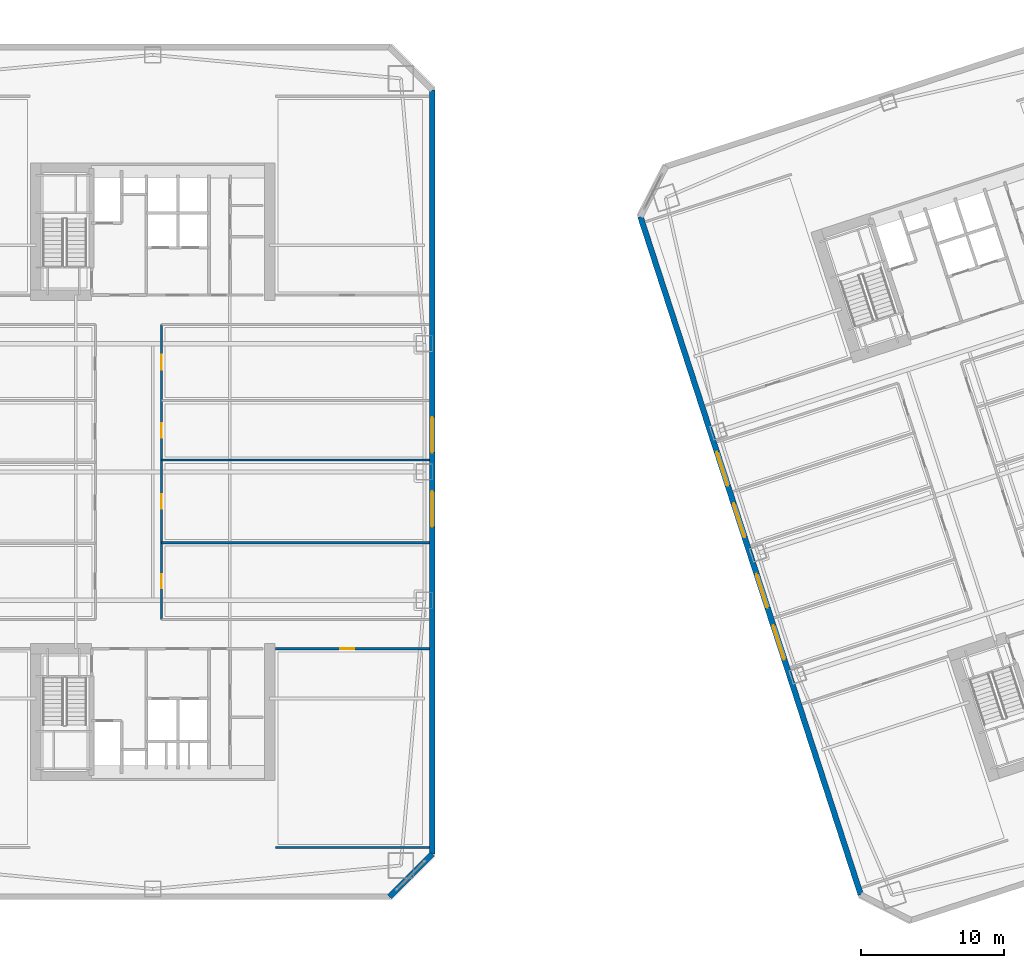
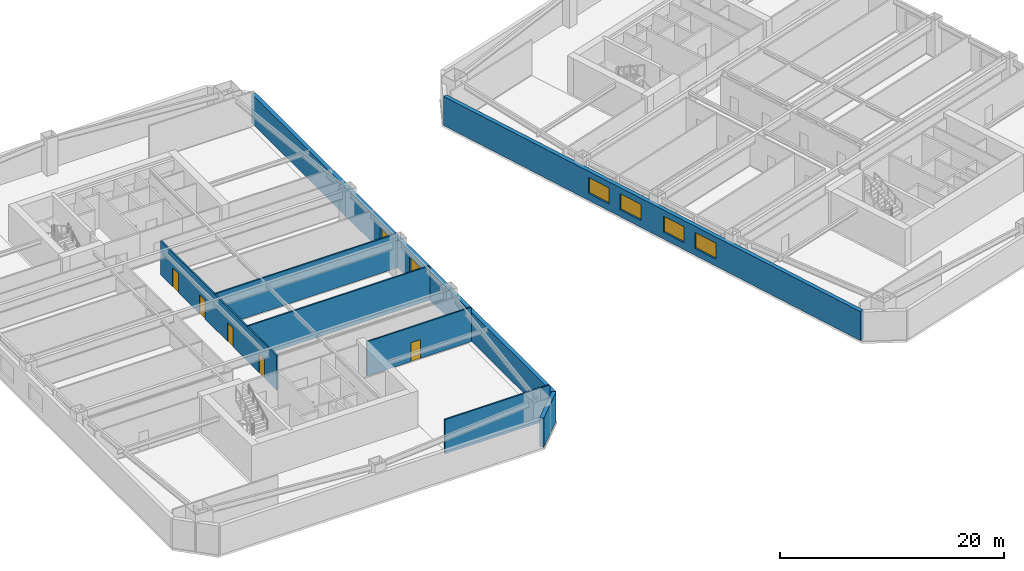
# One storey, part 11 of 24: 8 walls, 6 windows, 5 doors, 11 openings.
"""IFC4 building model written with IfcOpenShell, lengths in metres."""

from ifc_helpers import new_model, si_unit, direction, frame, frame_2d, origin, place, context, subcontext, project, spatial, rectangle, extrude, material, layer, layer_set, type_object, element, fill, save


model = new_model("IFC4")

# Units and contexts
model_context = context("Model", 3, precision=1e-05, world=origin(), true_north=direction((0.0, 1.0)))
body_context = subcontext(model_context, "Body", "Model", "MODEL_VIEW")
ifc_project = project(units=[si_unit("LENGTHUNIT", "METRE"), si_unit("AREAUNIT", "SQUARE_METRE"), si_unit("VOLUMEUNIT", "CUBIC_METRE"), si_unit("PLANEANGLEUNIT", "RADIAN"), si_unit("MASSUNIT", "GRAM", prefix="KILO")], contexts=[model_context])

# Site, building, storey
site_placement = place(None, origin())
site = spatial("IfcSite", under=ifc_project, at=site_placement, CompositionType="ELEMENT")
building_placement = place(site_placement, origin())
building = spatial("IfcBuilding", under=site, at=building_placement, Name="Qiaolan Cultural Towers", CompositionType="ELEMENT")
storey_placement = place(building_placement, frame((0.0, 0.0, 30.0)))
storey = spatial("IfcBuildingStorey", under=building, at=storey_placement, Name="L06", CompositionType="ELEMENT", Elevation=30.0)

# Wall, openings, windows
ifc_material_1 = material(Name="Precast Concrete C50 Honed Stone Pier", Category="masonry")
ifc_layer_1 = layer(ifc_material_1, 0.39990234375)
ifc_layer_set_1 = layer_set([ifc_layer_1], Name="Precast Concrete C50 Honed Stone Pier")
wall_type_1 = type_object("IfcWallType", Name="WL-EXT-PIER-400", PredefinedType="SOLIDWALL", material=ifc_layer_set_1)
wall_1_placement = place(storey_placement, frame((49.60009765625, 60.800048828125, 0.0), z_axis=(0.0, 0.0, 1.0), x_axis=(0.0, -1.0, 0.0)))
wall_1 = element("IfcWall", 1, at=wall_1_placement, inside=storey, type_object=wall_type_1, Name="L06 West Tower Precast Pier Facade Wall F5", PredefinedType="SOLIDWALL", context=body_context, shape_type="SweptSolid", body=[
    extrude(rectangle(XDim=53.60009765625, YDim=0.39990234375, at=frame_2d((26.800048828125, 0.0))), origin(), (0.0, 0.0, 1.0), 3.159912109375),
])
opening_1_placement = place(wall_1_placement, frame((28.14990234375, 0.0, 0.75)))
opening_1 = element("IfcOpeningElement", 2, at=opening_1_placement, cuts=wall_1, Name="Opening W-01", PredefinedType="OPENING", context=body_context, shape_type="SweptSolid", body=[
    extrude(rectangle(XDim=2.5, YDim=1.75, at=frame_2d((1.25, 0.875))), frame((0.0, 0.2099609375, 0.0), z_axis=(0.0, -1.0, 0.0), x_axis=(1.0, 0.0, 0.0)), (0.0, 0.0, 1.0), 0.419921875),
])
opening_2_placement = place(wall_1_placement, frame((22.949951171875, 0.0, 0.75)))
opening_2 = element("IfcOpeningElement", 3, at=opening_2_placement, cuts=wall_1, Name="Opening W-01", PredefinedType="OPENING", context=body_context, shape_type="SweptSolid", body=[
    extrude(rectangle(XDim=2.5, YDim=1.75, at=frame_2d((1.25, 0.875))), frame((0.0, 0.2099609375, 0.0), z_axis=(0.0, -1.0, 0.0), x_axis=(1.0, 0.0, 0.0)), (0.0, 0.0, 1.0), 0.419921875),
])
ifc_material_2 = material(Name="Thermally Broken Aluminium Triple Low-E Glazing", Category="aluminium")
window_type = type_object("IfcWindowType", Name="WN-CHIC-2500", PartitioningType="SINGLE_PANEL", PredefinedType="WINDOW", material=ifc_material_2)
window_1_placement = place(opening_1_placement, origin())
window_1 = element("IfcWindow", 4, at=window_1_placement, inside=storey, type_object=window_type, Name="L06 T1 E Chicago Bay Window 1", OverallHeight=1.75, OverallWidth=2.5, PartitioningType="TRIPLE_PANEL_VERTICAL", PredefinedType="WINDOW", context=body_context, shape_type="SweptSolid", body=[
    extrude(rectangle(XDim=2.5, YDim=1.75, at=frame_2d((1.25, 0.875))), frame((0.0, 0.030029296875, 0.0), z_axis=(0.0, -1.0, 0.0), x_axis=(1.0, 0.0, 0.0)), (0.0, 0.0, 1.0), 0.06005859375),
])
fill(opening_1, window_1)
window_2_placement = place(opening_2_placement, origin())
window_2 = element("IfcWindow", 5, at=window_2_placement, inside=storey, type_object=window_type, Name="L06 T1 E Chicago Bay Window 2", OverallHeight=1.75, OverallWidth=2.5, PartitioningType="TRIPLE_PANEL_VERTICAL", PredefinedType="WINDOW", context=body_context, shape_type="SweptSolid", body=[
    extrude(rectangle(XDim=2.5, YDim=1.75, at=frame_2d((1.25, 0.875))), frame((0.0, 0.030029296875, 0.0), z_axis=(0.0, -1.0, 0.0), x_axis=(1.0, 0.0, 0.0)), (0.0, 0.0, 1.0), 0.06005859375),
])
fill(opening_2, window_2)

# Wall
wall_2_placement = place(storey_placement, frame((49.60009765625, 7.199951171875, 0.0), z_axis=(0.0, 0.0, 1.0), x_axis=(-0.707106781187, -0.707106781187, 0.0)))
element("IfcWall", 6, at=wall_2_placement, inside=storey, type_object=wall_type_1, Name="L06 West Tower Precast Pier Facade Wall F6", PredefinedType="SOLIDWALL", context=body_context, shape_type="SweptSolid", body=[
    extrude(rectangle(XDim=4.24267578125, YDim=0.39990234375, at=frame_2d((2.121337890625, 0.0))), origin(), (0.0, 0.0, 1.0), 3.159912109375),
])

# Wall, openings, windows
wall_3_placement = place(storey_placement, frame((79.6552734375, 4.352294921875, 0.0), z_axis=(0.0, 0.0, 1.0), x_axis=(-0.309014526607, 0.951057318118, 0.0)))
wall_3 = element("IfcWall", 7, at=wall_3_placement, inside=storey, type_object=wall_type_1, Name="L06 East Tower Precast Pier Facade Wall F1", PredefinedType="SOLIDWALL", context=body_context, shape_type="SweptSolid", body=[
    extrude(rectangle(XDim=49.999755859375, YDim=0.39990234375, at=frame_2d((25.0, 0.0))), origin(), (0.0, 0.0, 1.0), 3.159912109375),
])
opening_3_placement = place(wall_3_placement, frame((17.35009765625, 0.0, 0.75)))
opening_3 = element("IfcOpeningElement", 8, at=opening_3_placement, cuts=wall_3, Name="Opening W-01", PredefinedType="OPENING", context=body_context, shape_type="SweptSolid", body=[
    extrude(rectangle(XDim=2.5, YDim=1.75, at=frame_2d((1.25, 0.875))), frame((0.0, 0.2099609375, 0.0), z_axis=(0.0, -1.0, 0.0), x_axis=(1.0, 0.0, 0.0)), (0.0, 0.0, 1.0), 0.419921875),
])
opening_4_placement = place(wall_3_placement, frame((21.14990234375, 0.0, 0.75)))
opening_4 = element("IfcOpeningElement", 9, at=opening_4_placement, cuts=wall_3, Name="Opening W-01", PredefinedType="OPENING", context=body_context, shape_type="SweptSolid", body=[
    extrude(rectangle(XDim=2.5, YDim=1.75, at=frame_2d((1.25, 0.875))), frame((0.0, 0.2099609375, 0.0), z_axis=(0.0, -1.0, 0.0), x_axis=(1.0, 0.0, 0.0)), (0.0, 0.0, 1.0), 0.419921875),
])
opening_5_placement = place(wall_3_placement, frame((26.35009765625, 0.0, 0.75)))
opening_5 = element("IfcOpeningElement", 10, at=opening_5_placement, cuts=wall_3, Name="Opening W-01", PredefinedType="OPENING", context=body_context, shape_type="SweptSolid", body=[
    extrude(rectangle(XDim=2.5, YDim=1.75, at=frame_2d((1.25, 0.875))), frame((0.0, 0.2099609375, 0.0), z_axis=(0.0, -1.0, 0.0), x_axis=(1.0, 0.0, 0.0)), (0.0, 0.0, 1.0), 0.419921875),
])
opening_6_placement = place(wall_3_placement, frame((30.14990234375, 0.0, 0.75)))
opening_6 = element("IfcOpeningElement", 11, at=opening_6_placement, cuts=wall_3, Name="Opening W-01", PredefinedType="OPENING", context=body_context, shape_type="SweptSolid", body=[
    extrude(rectangle(XDim=2.5, YDim=1.75, at=frame_2d((1.25, 0.875))), frame((0.0, 0.2099609375, 0.0), z_axis=(0.0, -1.0, 0.0), x_axis=(1.0, 0.0, 0.0)), (0.0, 0.0, 1.0), 0.419921875),
])
window_3_placement = place(opening_3_placement, origin())
window_3 = element("IfcWindow", 12, at=window_3_placement, inside=storey, type_object=window_type, Name="L06 T2 W Chicago Bay Window 1", OverallHeight=1.75, OverallWidth=2.5, PartitioningType="TRIPLE_PANEL_VERTICAL", PredefinedType="WINDOW", context=body_context, shape_type="SweptSolid", body=[
    extrude(rectangle(XDim=2.5, YDim=1.75, at=frame_2d((1.25, 0.875))), frame((0.0, 0.030029296875, 0.0), z_axis=(0.0, -1.0, 0.0), x_axis=(1.0, 0.0, 0.0)), (0.0, 0.0, 1.0), 0.06005859375),
])
fill(opening_3, window_3)
window_4_placement = place(opening_4_placement, origin())
window_4 = element("IfcWindow", 13, at=window_4_placement, inside=storey, type_object=window_type, Name="L06 T2 W Chicago Bay Window 2", OverallHeight=1.75, OverallWidth=2.5, PartitioningType="TRIPLE_PANEL_VERTICAL", PredefinedType="WINDOW", context=body_context, shape_type="SweptSolid", body=[
    extrude(rectangle(XDim=2.5, YDim=1.75, at=frame_2d((1.25, 0.875))), frame((0.0, 0.030029296875, 0.0), z_axis=(0.0, -1.0, 0.0), x_axis=(1.0, 0.0, 0.0)), (0.0, 0.0, 1.0), 0.06005859375),
])
fill(opening_4, window_4)
window_5_placement = place(opening_5_placement, origin())
window_5 = element("IfcWindow", 14, at=window_5_placement, inside=storey, type_object=window_type, Name="L06 T2 W Chicago Bay Window 3", OverallHeight=1.75, OverallWidth=2.5, PartitioningType="TRIPLE_PANEL_VERTICAL", PredefinedType="WINDOW", context=body_context, shape_type="SweptSolid", body=[
    extrude(rectangle(XDim=2.5, YDim=1.75, at=frame_2d((1.25, 0.875))), frame((0.0, 0.030029296875, 0.0), z_axis=(0.0, -1.0, 0.0), x_axis=(1.0, 0.0, 0.0)), (0.0, 0.0, 1.0), 0.06005859375),
])
fill(opening_5, window_5)
window_6_placement = place(opening_6_placement, origin())
window_6 = element("IfcWindow", 15, at=window_6_placement, inside=storey, type_object=window_type, Name="L06 T2 W Chicago Bay Window 4", OverallHeight=1.75, OverallWidth=2.5, PartitioningType="TRIPLE_PANEL_VERTICAL", PredefinedType="WINDOW", context=body_context, shape_type="SweptSolid", body=[
    extrude(rectangle(XDim=2.5, YDim=1.75, at=frame_2d((1.25, 0.875))), frame((0.0, 0.030029296875, 0.0), z_axis=(0.0, -1.0, 0.0), x_axis=(1.0, 0.0, 0.0)), (0.0, 0.0, 1.0), 0.06005859375),
])
fill(opening_6, window_6)

# Wall
ifc_material_3 = material(Name="Autoclaved Aerated Concrete Block B06", Category="concrete")
ifc_layer_2 = layer(ifc_material_3, 0.14990234375)
ifc_layer_set_2 = layer_set([ifc_layer_2], Name="Autoclaved Aerated Concrete Block B06")
wall_type_2 = type_object("IfcWallType", Name="WL-PART-150", PredefinedType="PARTITIONING", material=ifc_layer_set_2)
wall_4_placement = place(storey_placement, frame((38.60009765625, 7.64990234375, 0.0), z_axis=(0.0, 0.0, 1.0), x_axis=(1.0, 0.0, 0.0)))
element("IfcWall", 16, at=wall_4_placement, inside=storey, type_object=wall_type_2, Name="L06 T1 Flank Wall FLK-SE", PredefinedType="PARTITIONING", context=body_context, shape_type="SweptSolid", body=[
    extrude(rectangle(XDim=10.7998046875, YDim=0.14990234375, at=frame_2d((5.39990234375, 0.0))), origin(), (0.0, 0.0, 1.0), 3.72509765625),
])

# Wall, opening, door
wall_5_placement = place(storey_placement, frame((38.60009765625, 21.60009765625, 0.0), z_axis=(0.0, 0.0, 1.0), x_axis=(1.0, 0.0, 0.0)))
wall_5 = element("IfcWall", 17, at=wall_5_placement, inside=storey, type_object=wall_type_2, Name="L06 T1 Flank Front FLK-SE", PredefinedType="PARTITIONING", context=body_context, shape_type="SweptSolid", body=[
    extrude(rectangle(XDim=10.7998046875, YDim=0.14990234375, at=frame_2d((5.39990234375, 0.0))), origin(), (0.0, 0.0, 1.0), 3.72509765625),
])
opening_7_placement = place(wall_5_placement, frame((4.535888671875, 0.0, 0.0)))
opening_7 = element("IfcOpeningElement", 18, at=opening_7_placement, cuts=wall_5, Name="Opening ID-04", PredefinedType="OPENING", context=body_context, shape_type="SweptSolid", body=[
    extrude(rectangle(XDim=1.0, YDim=2.050048828125, at=frame_2d((0.5, 1.02490234375))), frame((0.0, 0.0849609375, 0.0), z_axis=(0.0, -1.0, 0.0), x_axis=(1.0, 0.0, 0.0)), (0.0, 0.0, 1.0), 0.169921875),
])
ifc_material_4 = material(Name="Oak Veneer Acoustic Office Door", Category="timber")
door_type_1 = type_object("IfcDoorType", Name="DR-INT-1000", OperationType="NOTDEFINED", PredefinedType="DOOR", material=ifc_material_4)
door_1_placement = place(opening_7_placement, origin())
door_1 = element("IfcDoor", 19, at=door_1_placement, inside=storey, type_object=door_type_1, Name="L06 T1 Corner Studio Door", OperationType="SINGLE_SWING_LEFT", OverallHeight=2.050048828125, OverallWidth=1.0, PredefinedType="DOOR", context=body_context, shape_type="SweptSolid", body=[
    extrude(rectangle(XDim=1.0, YDim=2.050048828125, at=frame_2d((0.5, 1.02490234375))), frame((0.0, 0.02490234375, 0.0), z_axis=(0.0, -1.0, 0.0), x_axis=(1.0, 0.0, 0.0)), (0.0, 0.0, 1.0), 0.050048828125),
])
fill(opening_7, door_1)

# Wall, openings, doors
wall_6_placement = place(storey_placement, frame((30.625, 23.64990234375, 0.0), z_axis=(0.0, 0.0, 1.0), x_axis=(0.0, 1.0, 0.0)))
wall_6 = element("IfcWall", 20, at=wall_6_placement, inside=storey, type_object=wall_type_2, Name="L06 T1 East Spine Wall", PredefinedType="PARTITIONING", context=body_context, shape_type="SweptSolid", body=[
    extrude(rectangle(XDim=20.7001953125, YDim=0.14990234375, at=frame_2d((10.35009765625, 0.0))), origin(), (0.0, 0.0, 1.0), 3.72509765625),
])
opening_8_placement = place(wall_6_placement, frame((2.19091796875, 0.0, 0.0)))
opening_8 = element("IfcOpeningElement", 21, at=opening_8_placement, cuts=wall_6, Name="Opening ID-04", PredefinedType="OPENING", context=body_context, shape_type="SweptSolid", body=[
    extrude(rectangle(XDim=1.0, YDim=2.050048828125, at=frame_2d((0.5, 1.02490234375))), frame((0.0, 0.0849609375, 0.0), z_axis=(0.0, -1.0, 0.0), x_axis=(1.0, 0.0, 0.0)), (0.0, 0.0, 1.0), 0.169921875),
])
opening_9_placement = place(wall_6_placement, frame((7.780029296875, 0.0, 0.0)))
opening_9 = element("IfcOpeningElement", 22, at=opening_9_placement, cuts=wall_6, Name="Opening ID-04", PredefinedType="OPENING", context=body_context, shape_type="SweptSolid", body=[
    extrude(rectangle(XDim=1.0, YDim=2.050048828125, at=frame_2d((0.5, 1.02490234375))), frame((0.0, 0.0849609375, 0.0), z_axis=(0.0, -1.0, 0.0), x_axis=(1.0, 0.0, 0.0)), (0.0, 0.0, 1.0), 0.169921875),
])
opening_10_placement = place(wall_6_placement, frame((12.763916015625, 0.0, 0.0)))
opening_10 = element("IfcOpeningElement", 23, at=opening_10_placement, cuts=wall_6, Name="Opening ID-04", PredefinedType="OPENING", context=body_context, shape_type="SweptSolid", body=[
    extrude(rectangle(XDim=1.0, YDim=2.050048828125, at=frame_2d((0.5, 1.02490234375))), frame((0.0, 0.0849609375, 0.0), z_axis=(0.0, -1.0, 0.0), x_axis=(1.0, 0.0, 0.0)), (0.0, 0.0, 1.0), 0.169921875),
])
opening_11_placement = place(wall_6_placement, frame((17.52490234375, 0.0, 0.0)))
opening_11 = element("IfcOpeningElement", 24, at=opening_11_placement, cuts=wall_6, Name="Opening ID-07", PredefinedType="OPENING", context=body_context, shape_type="SweptSolid", body=[
    extrude(rectangle(XDim=1.050048828125, YDim=2.050048828125, at=frame_2d((0.52490234375, 1.02490234375))), frame((0.0, 0.0849609375, 0.0), z_axis=(0.0, -1.0, 0.0), x_axis=(1.0, 0.0, 0.0)), (0.0, 0.0, 1.0), 0.169921875),
])
door_2_placement = place(opening_8_placement, origin())
door_2 = element("IfcDoor", 25, at=door_2_placement, inside=storey, type_object=door_type_1, Name="L06 T1 Design Office Door", OperationType="SINGLE_SWING_RIGHT", OverallHeight=2.050048828125, OverallWidth=1.0, PredefinedType="DOOR", context=body_context, shape_type="SweptSolid", body=[
    extrude(rectangle(XDim=1.0, YDim=2.050048828125, at=frame_2d((0.5, 1.02490234375))), frame((0.0, 0.02490234375, 0.0), z_axis=(0.0, -1.0, 0.0), x_axis=(1.0, 0.0, 0.0)), (0.0, 0.0, 1.0), 0.050048828125),
])
fill(opening_8, door_2)
door_3_placement = place(opening_9_placement, origin())
door_3 = element("IfcDoor", 26, at=door_3_placement, inside=storey, type_object=door_type_1, Name="L06 T1 Boardroom Door", OperationType="SINGLE_SWING_LEFT", OverallHeight=2.050048828125, OverallWidth=1.0, PredefinedType="DOOR", context=body_context, shape_type="SweptSolid", body=[
    extrude(rectangle(XDim=1.0, YDim=2.050048828125, at=frame_2d((0.5, 1.02490234375))), frame((0.0, 0.02490234375, 0.0), z_axis=(0.0, -1.0, 0.0), x_axis=(1.0, 0.0, 0.0)), (0.0, 0.0, 1.0), 0.050048828125),
])
fill(opening_9, door_3)
door_4_placement = place(opening_10_placement, origin())
door_4 = element("IfcDoor", 27, at=door_4_placement, inside=storey, type_object=door_type_1, Name="L06 T1 Tea Pantry Door", OperationType="SINGLE_SWING_RIGHT", OverallHeight=2.050048828125, OverallWidth=1.0, PredefinedType="DOOR", context=body_context, shape_type="SweptSolid", body=[
    extrude(rectangle(XDim=1.0, YDim=2.050048828125, at=frame_2d((0.5, 1.02490234375))), frame((0.0, 0.02490234375, 0.0), z_axis=(0.0, -1.0, 0.0), x_axis=(1.0, 0.0, 0.0)), (0.0, 0.0, 1.0), 0.050048828125),
])
fill(opening_10, door_4)
ifc_material_5 = material(Name="Oak Veneer Consultation Door", Category="timber")
door_type_2 = type_object("IfcDoorType", Name="DR-INT-1050", OperationType="NOTDEFINED", PredefinedType="DOOR", material=ifc_material_5)
door_5_placement = place(opening_11_placement, origin())
door_5 = element("IfcDoor", 28, at=door_5_placement, inside=storey, type_object=door_type_2, Name="L06 T1 Design Office Door", OperationType="SINGLE_SWING_LEFT", OverallHeight=2.050048828125, OverallWidth=1.050048828125, PredefinedType="DOOR", context=body_context, shape_type="SweptSolid", body=[
    extrude(rectangle(XDim=1.050048828125, YDim=2.050048828125, at=frame_2d((0.52490234375, 1.02490234375))), frame((0.0, 0.02490234375, 0.0), z_axis=(0.0, -1.0, 0.0), x_axis=(1.0, 0.0, 0.0)), (0.0, 0.0, 1.0), 0.050048828125),
])
fill(opening_11, door_5)

# Walls
for number, where, z_axis, x_axis, name in (
    (29, (30.625, 29.031982421875, 0.0), (0.0, 0.0, 1.0), (1.0, 0.0, 0.0), "L06 T1 East Partition 1"),
    (30, (30.625, 34.827880859375, 0.0), (0.0, 0.0, 1.0), (1.0, 0.0, 0.0), "L06 T1 East Partition 2"),
):
    element("IfcWall", number, at=place(storey_placement, frame(where, z_axis=z_axis, x_axis=x_axis)), inside=storey, type_object=wall_type_2, Name=name, PredefinedType="PARTITIONING", context=body_context, shape_type="SweptSolid", body=[
        extrude(rectangle(XDim=18.77490234375, YDim=0.14990234375, at=frame_2d((9.387451171875, 0.0))), origin(), (0.0, 0.0, 1.0), 3.72509765625),
    ])

save(model, "model.ifc")
